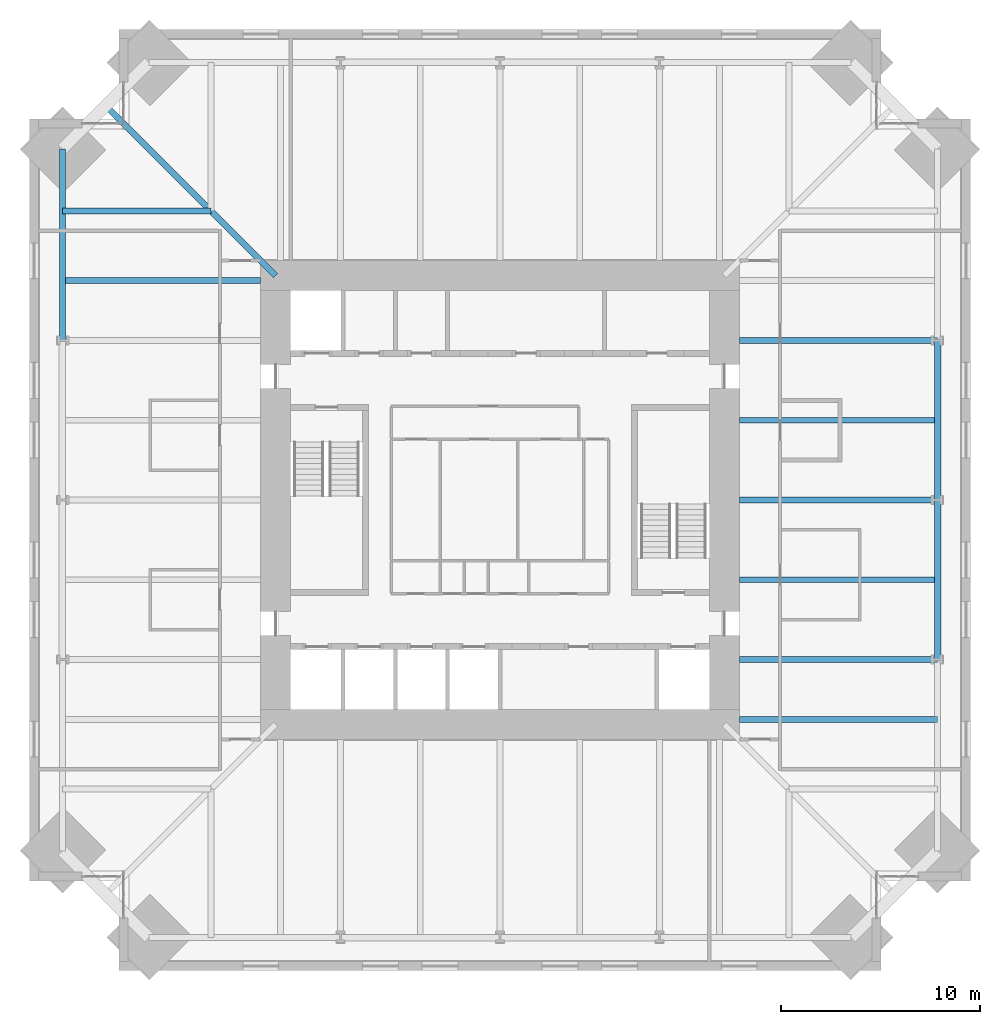
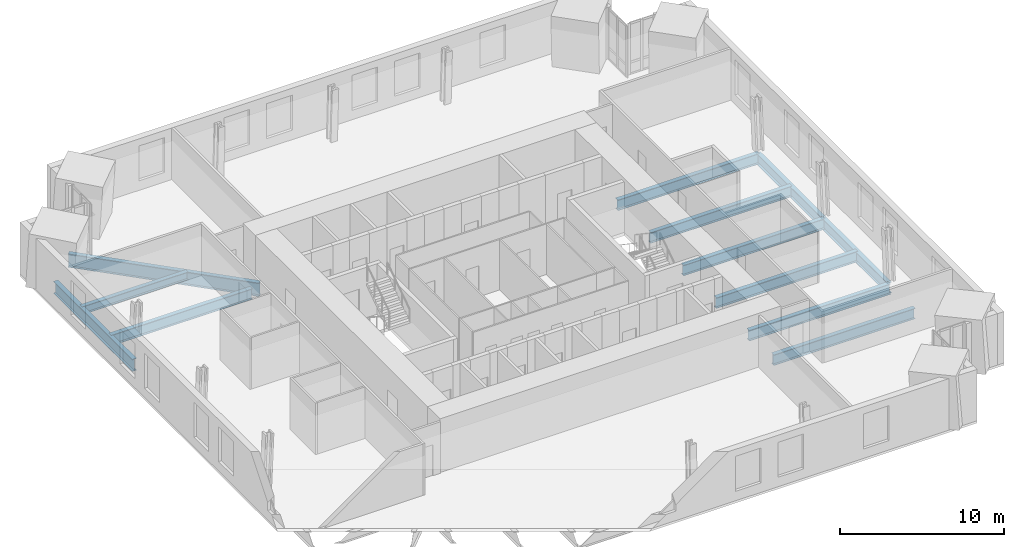
# One storey, part 5 of 14: 12 beams.
"""IFC4 building model written with IfcOpenShell, lengths in metres."""

from ifc_helpers import new_model, si_unit, direction, frame, origin, origin_2d, place, context, subcontext, project, spatial, i_section, extrude, material, material_profile, profile_set, type_object, element, save


model = new_model("IFC4")

# Units and contexts
model_context = context("Model", 3, precision=1e-05, world=origin(), true_north=direction((0.0, 1.0)))
body_context = subcontext(model_context, "Body", "Model", "MODEL_VIEW")
ifc_project = project(units=[si_unit("LENGTHUNIT", "METRE"), si_unit("AREAUNIT", "SQUARE_METRE"), si_unit("VOLUMEUNIT", "CUBIC_METRE"), si_unit("PLANEANGLEUNIT", "RADIAN"), si_unit("MASSUNIT", "GRAM", prefix="KILO")], contexts=[model_context])

# Site, building, storey
site_placement = place(None, origin())
site = spatial("IfcSite", under=ifc_project, at=site_placement, CompositionType="ELEMENT")
building_placement = place(site_placement, origin())
building = spatial("IfcBuilding", under=site, at=building_placement, Name="Peilmerk Tower", CompositionType="ELEMENT")
storey_placement = place(building_placement, frame((0.0, 0.0, 221.800048828125)))
storey = spatial("IfcBuildingStorey", under=building, at=storey_placement, Name="L48", CompositionType="ELEMENT", Elevation=221.800048828125)

# Beams
ifc_material = material(Name="Steel S355", Category="steel")
ifc_material_profile_1 = material_profile(ifc_material, i_section(OverallWidth=0.302978515625, OverallDepth=0.81396484375, WebThickness=0.02099609375, FlangeThickness=0.0400390625, at=origin_2d()), Name="HEM 800")
ifc_profile_set_1 = profile_set([ifc_material_profile_1], Name="Steel S355")
beam_type_1 = type_object("IfcBeamType", Name="B15 HEM 800 edge beam", PredefinedType="SPANDREL", material=ifc_profile_set_1)
for number, where, z_axis, x_axis, name in (
    (1, (21.953125, -8.0, -0.5771484375), (0.0, 1.0, 0.0), (-1.0, 0.0, 0.0), "Edge beam L48"),
    (2, (21.953125, 0.0, -0.5771484375), (0.0, 1.0, 0.0), (-1.0, 0.0, 0.0), "Edge beam L48"),
):
    element("IfcBeam", number, at=place(storey_placement, frame(where, z_axis=z_axis, x_axis=x_axis)), inside=storey, type_object=beam_type_1, Name=name, PredefinedType="SPANDREL", context=body_context, shape_type="SweptSolid", body=[
        extrude(i_section(OverallWidth=0.302978515625, OverallDepth=0.81396484375, WebThickness=0.02099609375, FlangeThickness=0.0400390625, at=origin_2d()), origin(), (0.0, 0.0, 1.0), 8.0),
    ])
ifc_material_profile_2 = material_profile(ifc_material, i_section(OverallWidth=0.302001953125, OverallDepth=0.909912109375, WebThickness=0.02099609375, FlangeThickness=0.0400390625, at=origin_2d()), Name="HEM 900")
ifc_profile_set_2 = profile_set([ifc_material_profile_2], Name="Steel S355")
beam_type_2 = type_object("IfcBeamType", Name="B2 HEM 900 edge beam", PredefinedType="SPANDREL", material=ifc_profile_set_2)
beam_1_placement = place(storey_placement, frame((-21.953125, 17.603271484375, -0.625), z_axis=(0.0, -1.0, 0.0), x_axis=(1.0, 0.0, 0.0)))
element("IfcBeam", 3, at=beam_1_placement, inside=storey, type_object=beam_type_2, Name="Edge beam L48", PredefinedType="SPANDREL", context=body_context, shape_type="SweptSolid", body=[
    extrude(i_section(OverallWidth=0.302001953125, OverallDepth=0.909912109375, WebThickness=0.02099609375, FlangeThickness=0.0400390625, at=origin_2d()), origin(), (0.0, 0.0, 1.0), 9.603271484375),
])
ifc_material_profile_3 = material_profile(ifc_material, i_section(OverallWidth=0.300048828125, OverallDepth=0.590087890625, WebThickness=0.012939453125, FlangeThickness=0.02490234375, at=origin_2d()), Name="HEA 600")
ifc_profile_set_3 = profile_set([ifc_material_profile_3], Name="Steel S355")
beam_type_3 = type_object("IfcBeamType", Name="B27 HEA 600 floor beam", PredefinedType="BEAM", material=ifc_profile_set_3)
beam_2_placement = place(storey_placement, frame((-14.5, 14.5, -0.465087890625), z_axis=(-1.0, 0.0, 0.0), x_axis=(0.0, -1.0, 0.0)))
element("IfcBeam", 4, at=beam_2_placement, inside=storey, type_object=beam_type_3, Name="Floor beam L48", PredefinedType="BEAM", context=body_context, shape_type="SweptSolid", body=[
    extrude(i_section(OverallWidth=0.300048828125, OverallDepth=0.590087890625, WebThickness=0.012939453125, FlangeThickness=0.02490234375, at=origin_2d()), origin(), (0.0, 0.0, 1.0), 7.453125),
])
ifc_material_profile_4 = material_profile(ifc_material, i_section(OverallWidth=0.300048828125, OverallDepth=0.7900390625, WebThickness=0.014892578125, FlangeThickness=0.028076171875, at=origin_2d()), Name="HEA 800")
ifc_profile_set_4 = profile_set([ifc_material_profile_4], Name="Steel S355")
beam_type_4 = type_object("IfcBeamType", Name="B3 HEA 800 floor beam", PredefinedType="BEAM", material=ifc_profile_set_4)
for number, where, z_axis, x_axis, name in (
    (5, (12.0, -11.0, -0.56494140625), (1.0, 0.0, 0.0), (0.0, 1.0, 0.0), "Floor beam L48"),
    (6, (12.0, -8.0, -0.56494140625), (1.0, 0.0, 0.0), (0.0, 1.0, 0.0), "Floor beam L48"),
    (7, (12.0, -4.0, -0.56494140625), (1.0, 0.0, 0.0), (0.0, 1.0, 0.0), "Floor beam L48"),
    (8, (12.0, 0.0, -0.56494140625), (1.0, 0.0, 0.0), (0.0, 1.0, 0.0), "Floor beam L48"),
    (9, (12.0, 4.0, -0.56494140625), (1.0, 0.0, 0.0), (0.0, 1.0, 0.0), "Floor beam L48"),
    (10, (12.0, 8.0, -0.56494140625), (1.0, 0.0, 0.0), (0.0, 1.0, 0.0), "Floor beam L48"),
    (11, (-12.0, 11.0, -0.56494140625), (-1.0, 0.0, 0.0), (0.0, -1.0, 0.0), "Floor beam L48"),
):
    element("IfcBeam", number, at=place(storey_placement, frame(where, z_axis=z_axis, x_axis=x_axis)), inside=storey, type_object=beam_type_4, Name=name, PredefinedType="BEAM", context=body_context, shape_type="SweptSolid", body=[
        extrude(i_section(OverallWidth=0.300048828125, OverallDepth=0.7900390625, WebThickness=0.014892578125, FlangeThickness=0.028076171875, at=origin_2d()), origin(), (0.0, 0.0, 1.0), 9.953125),
    ])
ifc_material_profile_5 = material_profile(ifc_material, i_section(OverallWidth=0.300048828125, OverallDepth=1.0, WebThickness=0.01904296875, FlangeThickness=0.035888671875, at=origin_2d()), Name="HEB 1000")
ifc_profile_set_5 = profile_set([ifc_material_profile_5], Name="Steel S355")
beam_type_5 = type_object("IfcBeamType", Name="B5 HEB 1000 floor girder", PredefinedType="BEAM", material=ifc_profile_set_5)
beam_3_placement = place(storey_placement, frame((-11.25, 11.25, -0.670166015625), z_axis=(-0.707106781187, 0.707106781187, 0.0), x_axis=(-0.707106781187, -0.707106781187, 0.0)))
element("IfcBeam", 12, at=beam_3_placement, inside=storey, type_object=beam_type_5, Name="Corner girder L48", PredefinedType="BEAM", context=body_context, shape_type="SweptSolid", body=[
    extrude(i_section(OverallWidth=0.300048828125, OverallDepth=1.0, WebThickness=0.01904296875, FlangeThickness=0.035888671875, at=origin_2d()), origin(), (0.0, 0.0, 1.0), 12.060791015625),
])

save(model, "model.ifc")
